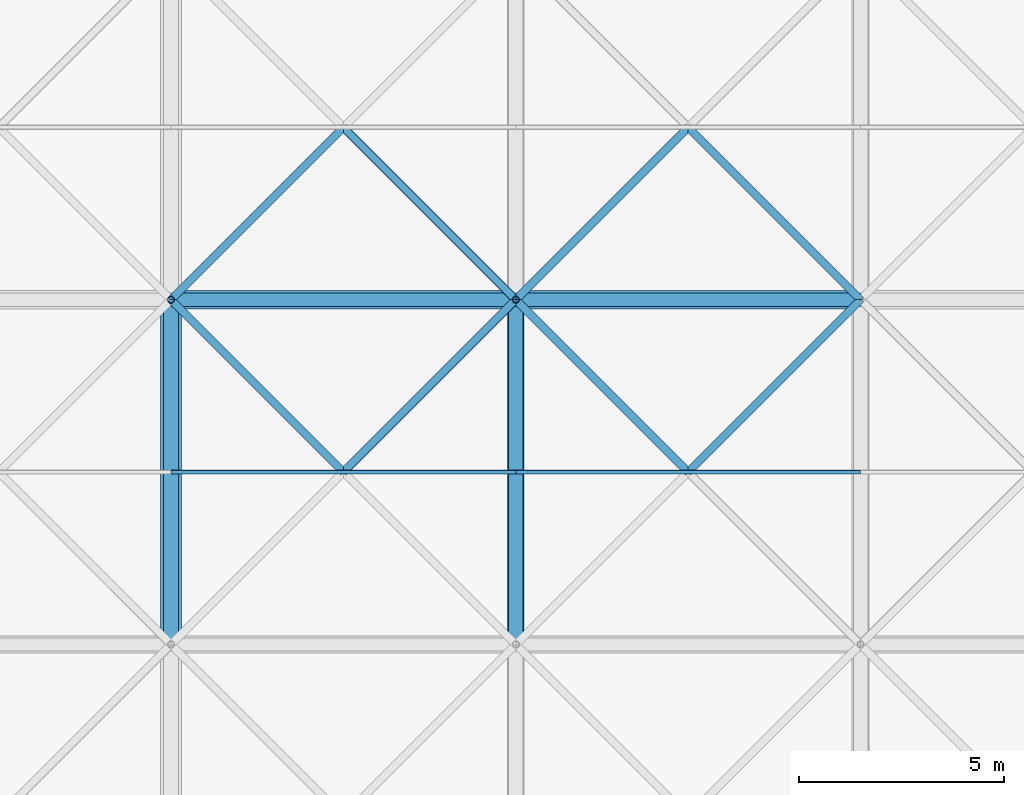
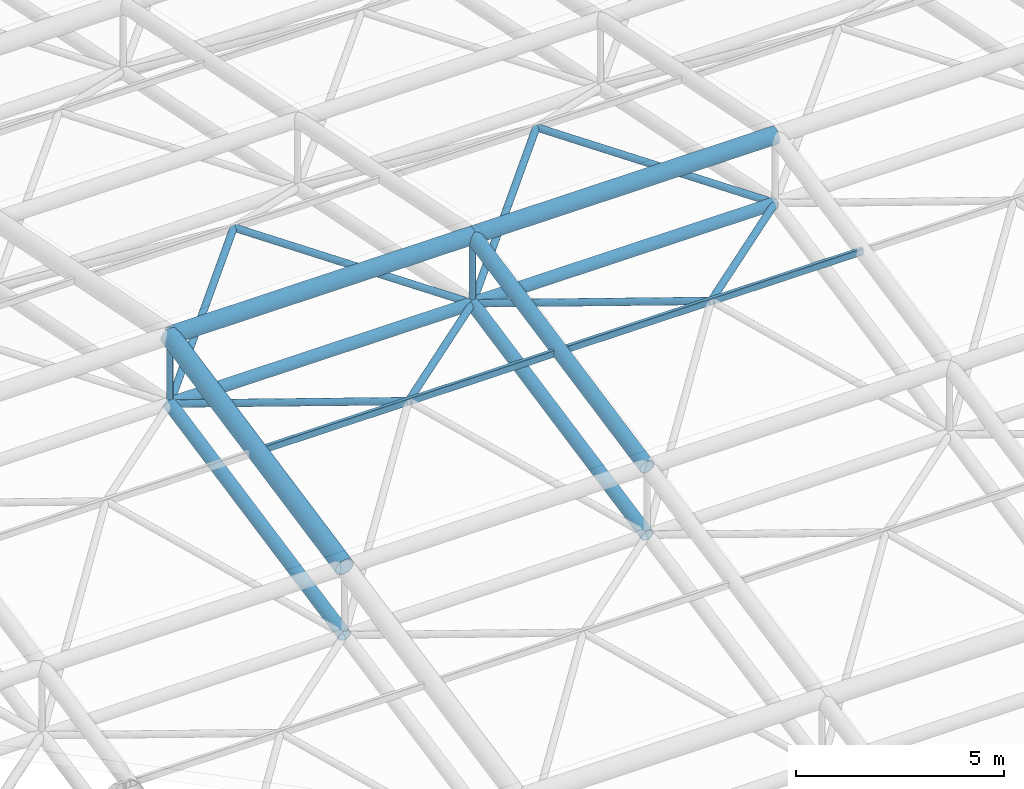
# One storey, part 43 of 110: 20 members.
"""IFC4 building model written with IfcOpenShell, lengths in metres."""

from ifc_helpers import new_model, si_unit, direction, frame, origin, origin_2d, place, context, subcontext, project, spatial, hollow_rectangle, hollow_circle, extrude, material, material_profile, profile_set, type_object, element, save


model = new_model("IFC4")

# Units and contexts
model_context = context("Model", 3, precision=1e-05, world=origin(), true_north=direction((0.0, 1.0)))
body_context = subcontext(model_context, "Body", "Model", "MODEL_VIEW")
ifc_project = project(units=[si_unit("LENGTHUNIT", "METRE"), si_unit("AREAUNIT", "SQUARE_METRE"), si_unit("VOLUMEUNIT", "CUBIC_METRE"), si_unit("PLANEANGLEUNIT", "RADIAN"), si_unit("MASSUNIT", "GRAM", prefix="KILO")], contexts=[model_context])

# Site, building, storey
site_placement = place(None, origin())
site = spatial("IfcSite", under=ifc_project, at=site_placement, CompositionType="ELEMENT")
building_placement = place(site_placement, origin())
building = spatial("IfcBuilding", under=site, at=building_placement, Name="Qawsi Khor Wholesale Market", CompositionType="ELEMENT")
storey_placement = place(building_placement, frame((0.0, 0.0, 11.39990234375)))
storey = spatial("IfcBuildingStorey", under=building, at=storey_placement, Name="L02", CompositionType="ELEMENT", Elevation=11.39990234375)

# Members
ifc_material = material(Name="Steel S355", Category="steel")
ifc_material_profile_1 = material_profile(ifc_material, hollow_circle(Radius=0.177734375, WallThickness=0.01611328125, at=origin_2d()), Name="CHS 355.6x16.0")
ifc_profile_set_1 = profile_set([ifc_material_profile_1], Name="Steel S355")
member_type_1 = type_object("IfcMemberType", Name="Space-Frame Bottom Chord CHS 355.6x16.0", PredefinedType="CHORD", material=ifc_profile_set_1)
for number, where, z_axis, x_axis, name in (
    (1, (159.60009765625, 67.199951171875, 5.070068359375), (0.0, 0.98013111127, 0.198350711418), (-1.0, 0.0, 0.0), "Space frame bottom chord Y EH (19,8)"),
    (2, (168.0, 67.199951171875, 5.070068359375), (0.0, 0.98013111127, 0.198350711418), (-1.0, 0.0, 0.0), "Space frame bottom chord Y EH (20,8)"),
):
    element("IfcMember", number, at=place(storey_placement, frame(where, z_axis=z_axis, x_axis=x_axis)), inside=storey, type_object=member_type_1, Name=name, PredefinedType="CHORD", context=body_context, shape_type="SweptSolid", body=[
        extrude(hollow_circle(Radius=0.177734375, WallThickness=0.01611328125, at=origin_2d()), origin(), (0.0, 0.0, 1.0), 8.5703125),
    ])
ifc_material_profile_2 = material_profile(ifc_material, hollow_circle(Radius=0.25390625, WallThickness=0.02490234375, at=origin_2d()), Name="CHS 508.0x25.0")
ifc_profile_set_2 = profile_set([ifc_material_profile_2], Name="Steel S355")
member_type_2 = type_object("IfcMemberType", Name="Space-Frame Main Chord CHS 508.0x25.0", PredefinedType="CHORD", material=ifc_profile_set_2)
member_1_placement = place(storey_placement, frame((159.60009765625, 67.199951171875, 7.070068359375), z_axis=(0.0, 0.98013111127, 0.198350711418), x_axis=(-1.0, 0.0, 0.0)))
element("IfcMember", 3, at=member_1_placement, inside=storey, type_object=member_type_2, Name="Space frame top chord Y EH (19,8)", PredefinedType="CHORD", context=body_context, shape_type="SweptSolid", body=[
    extrude(hollow_circle(Radius=0.25390625, WallThickness=0.02490234375, at=origin_2d()), origin(), (0.0, 0.0, 1.0), 8.5703125),
])
ifc_material_profile_3 = material_profile(ifc_material, hollow_rectangle(XDim=0.10009765625, YDim=0.199951171875, WallThickness=0.008056640625, InnerFilletRadius=0.008056640625, OuterFilletRadius=0.01611328125, at=origin_2d()), Name="RHS 200x100x8.0")
ifc_profile_set_3 = profile_set([ifc_material_profile_3], Name="Steel S355")
member_type_3 = type_object("IfcMemberType", Name="Space-Frame Purlin RHS 200x100x8.0", PredefinedType="PURLIN", material=ifc_profile_set_3)
for number, where, z_axis, x_axis, name in (
    (4, (159.60009765625, 71.39990234375, 7.920166015625), (1.0, 0.0, 0.0), (0.0, 1.0, 0.0), "Space frame purlin EH (19,8)"),
    (5, (168.0, 71.39990234375, 7.920166015625), (1.0, 0.0, 0.0), (0.0, 1.0, 0.0), "Space frame purlin EH (20,8)"),
):
    element("IfcMember", number, at=place(storey_placement, frame(where, z_axis=z_axis, x_axis=x_axis)), inside=storey, type_object=member_type_3, Name=name, PredefinedType="PURLIN", context=body_context, shape_type="SweptSolid", body=[
        extrude(hollow_rectangle(XDim=0.10009765625, YDim=0.199951171875, WallThickness=0.008056640625, InnerFilletRadius=0.008056640625, OuterFilletRadius=0.01611328125, at=origin_2d()), origin(), (0.0, 0.0, 1.0), 8.39990234375),
    ])
ifc_material_profile_4 = material_profile(ifc_material, hollow_circle(Radius=0.228515625, WallThickness=0.02001953125, at=origin_2d()), Name="CHS 457.0x20.0")
ifc_profile_set_4 = profile_set([ifc_material_profile_4], Name="Steel S355")
member_type_4 = type_object("IfcMemberType", Name="Space-Frame Ridge Chord CHS 457.0x20.0", PredefinedType="CHORD", material=ifc_profile_set_4)
for number, where, z_axis, x_axis, name in (
    (6, (159.60009765625, 75.60009765625, 8.77001953125), (1.0, 0.0, 0.0), (0.0, 1.0, 0.0), "Space frame top chord X EH (19,9)"),
    (7, (168.0, 75.60009765625, 8.77001953125), (1.0, 0.0, 0.0), (0.0, 1.0, 0.0), "Space frame top chord X EH (20,9)"),
):
    element("IfcMember", number, at=place(storey_placement, frame(where, z_axis=z_axis, x_axis=x_axis)), inside=storey, type_object=member_type_4, Name=name, PredefinedType="CHORD", context=body_context, shape_type="SweptSolid", body=[
        extrude(hollow_circle(Radius=0.228515625, WallThickness=0.02001953125, at=origin_2d()), origin(), (0.0, 0.0, 1.0), 8.39990234375),
    ])
ifc_material_profile_5 = material_profile(ifc_material, hollow_circle(Radius=0.161865234375, WallThickness=0.01611328125, at=origin_2d()), Name="CHS 323.9x16.0")
ifc_profile_set_5 = profile_set([ifc_material_profile_5], Name="Steel S355")
member_type_5 = type_object("IfcMemberType", Name="Space-Frame Secondary Chord CHS 323.9x16.0", PredefinedType="CHORD", material=ifc_profile_set_5)
for number, where, z_axis, x_axis, name in (
    (8, (159.60009765625, 75.60009765625, 6.77001953125), (1.0, 0.0, 0.0), (0.0, 1.0, 0.0), "Space frame bottom chord X EH (19,9)"),
    (9, (168.0, 75.60009765625, 6.77001953125), (1.0, 0.0, 0.0), (0.0, 1.0, 0.0), "Space frame bottom chord X EH (20,9)"),
):
    element("IfcMember", number, at=place(storey_placement, frame(where, z_axis=z_axis, x_axis=x_axis)), inside=storey, type_object=member_type_5, Name=name, PredefinedType="CHORD", context=body_context, shape_type="SweptSolid", body=[
        extrude(hollow_circle(Radius=0.161865234375, WallThickness=0.01611328125, at=origin_2d()), origin(), (0.0, 0.0, 1.0), 8.39990234375),
    ])
ifc_material_profile_6 = material_profile(ifc_material, hollow_circle(Radius=0.096923828125, WallThickness=0.008056640625, at=origin_2d()), Name="CHS 193.7x8.0")
ifc_profile_set_6 = profile_set([ifc_material_profile_6], Name="Steel S355")
member_type_6 = type_object("IfcMemberType", Name="Space-Frame Secondary Diagonal CHS 193.7x8.0", PredefinedType="RAFTER", material=ifc_profile_set_6)
for number, where, z_axis, x_axis, name in (
    (10, (168.0, 75.60009765625, 6.77001953125), (-0.694191941586, -0.694232294544, 0.190102786538), (0.707127332136, -0.70708622964, 0.0), "Space frame diagonal EH (19,8)-3"),
    (11, (159.60009765625, 75.60009765625, 6.77001953125), (0.694191941586, -0.694232294544, 0.190102786538), (0.707127332136, 0.70708622964, 0.0), "Space frame diagonal EH (19,8)-4"),
    (12, (159.60009765625, 75.60009765625, 6.77001953125), (0.694211389158, 0.694211389158, 0.190108112208), (-0.707106781187, 0.707106781187, 0.0), "Space frame diagonal EH (19,9)-1"),
    (13, (168.0, 75.60009765625, 6.77001953125), (-0.694211389158, 0.694211389158, 0.190108112208), (-0.707106781187, -0.707106781187, 0.0), "Space frame diagonal EH (19,9)-2"),
    (14, (176.39990234375, 75.60009765625, 6.77001953125), (-0.694191941586, -0.694232294544, 0.190102786538), (0.707127332136, -0.70708622964, 0.0), "Space frame diagonal EH (20,8)-3"),
    (15, (168.0, 75.60009765625, 6.77001953125), (0.694191941586, -0.694232294544, 0.190102786538), (0.707127332136, 0.70708622964, 0.0), "Space frame diagonal EH (20,8)-4"),
    (16, (168.0, 75.60009765625, 6.77001953125), (0.694211389158, 0.694211389158, 0.190108112208), (-0.707106781187, 0.707106781187, 0.0), "Space frame diagonal EH (20,9)-1"),
    (17, (176.39990234375, 75.60009765625, 6.77001953125), (-0.694211389158, 0.694211389158, 0.190108112208), (-0.707106781187, -0.707106781187, 0.0), "Space frame diagonal EH (20,9)-2"),
):
    element("IfcMember", number, at=place(storey_placement, frame(where, z_axis=z_axis, x_axis=x_axis)), inside=storey, type_object=member_type_6, Name=name, PredefinedType="RAFTER", context=body_context, shape_type="SweptSolid", body=[
        extrude(hollow_circle(Radius=0.096923828125, WallThickness=0.008056640625, at=origin_2d()), origin(), (0.0, 0.0, 1.0), 6.050048828125),
    ])
ifc_material_profile_7 = material_profile(ifc_material, hollow_circle(Radius=0.203125, WallThickness=0.02001953125, at=origin_2d()), Name="CHS 406.4x20.0")
ifc_profile_set_7 = profile_set([ifc_material_profile_7], Name="Steel S355")
member_type_7 = type_object("IfcMemberType", Name="Space-Frame Top Chord CHS 406.4x20.0", PredefinedType="CHORD", material=ifc_profile_set_7)
member_2_placement = place(storey_placement, frame((168.0, 67.199951171875, 7.070068359375), z_axis=(0.0, 0.98013111127, 0.198350711418), x_axis=(-1.0, 0.0, 0.0)))
element("IfcMember", 18, at=member_2_placement, inside=storey, type_object=member_type_7, Name="Space frame top chord Y EH (20,8)", PredefinedType="CHORD", context=body_context, shape_type="SweptSolid", body=[
    extrude(hollow_circle(Radius=0.203125, WallThickness=0.02001953125, at=origin_2d()), origin(), (0.0, 0.0, 1.0), 8.5703125),
])
ifc_material_profile_8 = material_profile(ifc_material, hollow_circle(Radius=0.084228515625, WallThickness=0.008056640625, at=origin_2d()), Name="CHS 168.3x8.0")
ifc_profile_set_8 = profile_set([ifc_material_profile_8], Name="Steel S355")
member_type_8 = type_object("IfcMemberType", Name="Space-Frame Vertical Strut CHS 168.3x8.0", PredefinedType="STRUT", material=ifc_profile_set_8)
for number, where, z_axis, x_axis, name in (
    (19, (159.60009765625, 75.60009765625, 6.77001953125), (0.0, 0.0, 1.0), (1.0, 0.0, 0.0), "Space frame post EH (19,9)"),
    (20, (168.0, 75.60009765625, 6.77001953125), (0.0, 0.0, 1.0), (1.0, 0.0, 0.0), "Space frame post EH (20,9)"),
):
    element("IfcMember", number, at=place(storey_placement, frame(where, z_axis=z_axis, x_axis=x_axis)), inside=storey, type_object=member_type_8, Name=name, PredefinedType="STRUT", context=body_context, shape_type="SweptSolid", body=[
        extrude(hollow_circle(Radius=0.084228515625, WallThickness=0.008056640625, at=origin_2d()), origin(), (0.0, 0.0, 1.0), 2.0),
    ])

save(model, "model.ifc")
